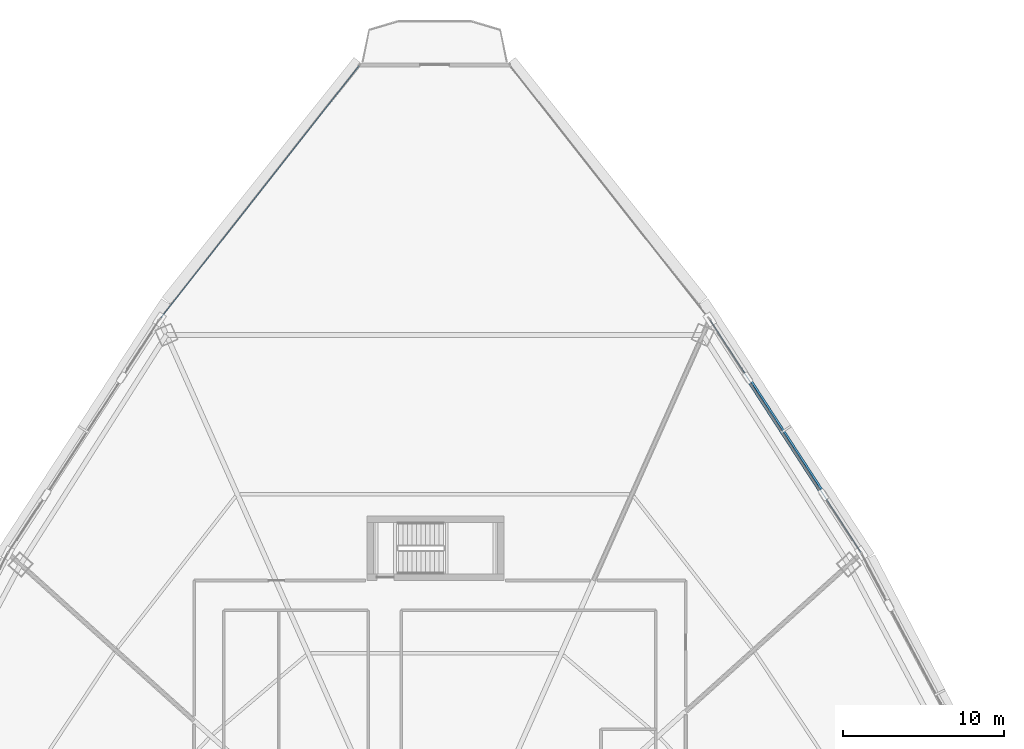
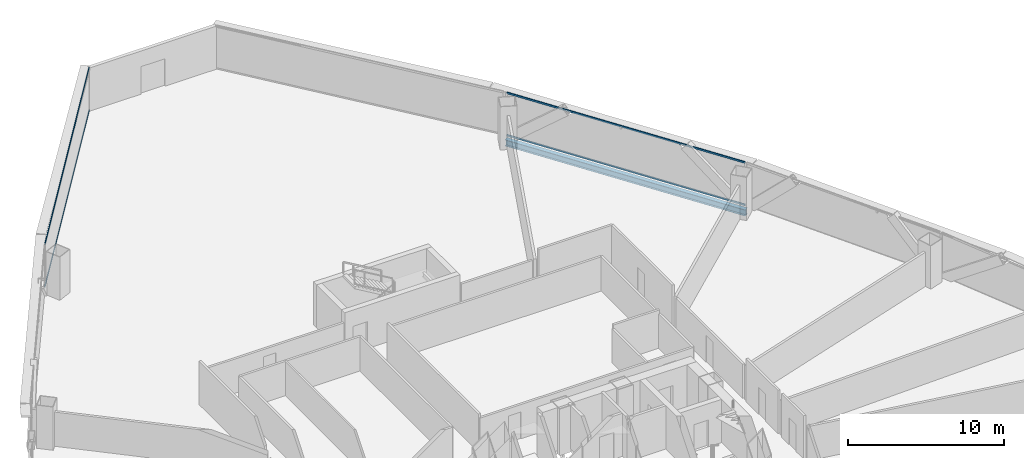
# One storey, part 26 of 41: 4 members, 1 beam, 2 elements without a shape of their own.
"""IFC4 building model written with IfcOpenShell, lengths in metres."""

from ifc_helpers import new_model, si_unit, direction, frame, origin, origin_2d, place, context, subcontext, project, spatial, hollow_rectangle, i_section, extrude, source, transform, mapped, material, layer, layer_set, material_profile, profile_set, type_object, element, aggregate, save


model = new_model("IFC4")

# Units and contexts
model_context = context("Model", 3, precision=1e-05, world=origin(), true_north=direction((0.0, 1.0)))
body_context = subcontext(model_context, "Body", "Model", "MODEL_VIEW")
ifc_project = project(units=[si_unit("LENGTHUNIT", "METRE"), si_unit("AREAUNIT", "SQUARE_METRE"), si_unit("VOLUMEUNIT", "CUBIC_METRE"), si_unit("PLANEANGLEUNIT", "RADIAN"), si_unit("MASSUNIT", "GRAM", prefix="KILO"), si_unit("THERMODYNAMICTEMPERATUREUNIT", "KELVIN"), si_unit("POWERUNIT", "WATT")], contexts=[model_context])

# Site, building, storey
site_placement = place(None, origin())
site = spatial("IfcSite", under=ifc_project, at=site_placement, CompositionType="ELEMENT")
building_placement = place(site_placement, origin())
building = spatial("IfcBuilding", under=site, at=building_placement, Name="Yunzhuo Pagoda Commons", CompositionType="ELEMENT")
storey_placement = place(building_placement, frame((0.0, 0.0, 63.070068359375)))
storey = spatial("IfcBuildingStorey", under=building, at=storey_placement, Name="L16", CompositionType="ELEMENT", Elevation=63.070068359375)

# Beam
ifc_material_1 = material(Name="Structural steel Q355B", Category="steel")
ifc_material_profile_1 = material_profile(ifc_material_1, i_section(OverallWidth=0.300048828125, OverallDepth=0.488037109375, WebThickness=0.010986328125, FlangeThickness=0.01806640625, at=origin_2d()), Name="Structural steel Q355B")
ifc_profile_set_1 = profile_set([ifc_material_profile_1], Name="Structural steel Q355B")
beam_type = type_object("IfcBeamType", Name="B-SP1 Beam HM 488x300x11x18", PredefinedType="BEAM", material=ifc_profile_set_1)
shared_shape_1 = source(origin(), body_context, "Body", "SweptSolid", [
    extrude(i_section(OverallWidth=0.300048828125, OverallDepth=0.488037109375, WebThickness=0.010986328125, FlangeThickness=0.01806640625, at=origin_2d()), origin(), (0.0, 0.0, 1.0), 17.251220703125),
])
beam_placement = place(storey_placement, frame((74.428955078125, 57.496826171875, -0.504150390625), z_axis=(-0.544376852456, 0.838840773037, 0.0), x_axis=(-0.838840773037, -0.544376852456, 0.0)))
element("IfcBeam", 1, at=beam_placement, inside=storey, type_object=beam_type, Name="L16 facade edge spandrel beam F2.3", PredefinedType="BEAM", context=body_context, shape_type="MappedRepresentation", body=[
    mapped(shared_shape_1, transform((0.0, 0.0, 0.0), scale=1.0)),
])

# Curtain wall, members
ifc_material_2 = material(Name="Anodized aluminium 6063-T6", Category="aluminium")
ifc_layer = layer(ifc_material_2, 0.1650390625)
ifc_layer_set = layer_set([ifc_layer], Name="Anodized aluminium 6063-T6")
curtain_wall_type = type_object("IfcCurtainWallType", Name="CW-LOW Low-Zone Ribbon Curtain Wall", PredefinedType="NOTDEFINED", material=ifc_layer_set)
curtain_wall_1_placement = place(storey_placement, origin())
curtain_wall_1 = element("IfcCurtainWall", 2, at=curtain_wall_1_placement, inside=storey, type_object=curtain_wall_type, Name="L16 curtain wall CW-L16-F2B4", PredefinedType="NOTDEFINED")
ifc_material_profile_2 = material_profile(ifc_material_2, hollow_rectangle(XDim=0.06005859375, YDim=0.139892578125, WallThickness=0.00341796875, at=origin_2d()), Name="Anodized aluminium 6063-T6")
ifc_profile_set_2 = profile_set([ifc_material_profile_2], Name="Anodized aluminium 6063-T6")
member_type = type_object("IfcMemberType", Name="CW-LOW-T Transom RHS 140x60x3.5", PredefinedType="USERDEFINED", material=ifc_profile_set_2)
shared_shape_2 = source(origin(), body_context, "Body", "SweptSolid", [
    extrude(hollow_rectangle(XDim=0.06005859375, YDim=0.139892578125, WallThickness=0.00341796875, at=origin_2d()), origin(), (0.0, 0.0, 1.0), 17.120849609375),
])
member_1_placement = place(storey_placement, frame((74.3935546875, 57.551513671875, 0.030029296875), z_axis=(-0.544384232902, 0.838835983353, 0.0), x_axis=(-0.838835983353, -0.544384232902, 0.0)))
member_1 = element("IfcMember", 3, at=member_1_placement, type_object=member_type, Name="CW transom 1.1", ObjectType="TRANSOM", PredefinedType="USERDEFINED", context=body_context, shape_type="MappedRepresentation", body=[
    mapped(shared_shape_2, transform((0.0, 0.0, 0.0), scale=1.0)),
])
member_2_placement = place(storey_placement, frame((74.3935546875, 57.551513671875, 3.33984375), z_axis=(-0.544384232902, 0.838835983353, 0.0), x_axis=(-0.838835983353, -0.544384232902, 0.0)))
member_2 = element("IfcMember", 4, at=member_2_placement, type_object=member_type, Name="CW transom 1.2", ObjectType="TRANSOM", PredefinedType="USERDEFINED", context=body_context, shape_type="MappedRepresentation", body=[
    mapped(shared_shape_2, transform((0.0, 0.0, 0.0), scale=1.0)),
])
aggregate(curtain_wall_1, [member_1, member_2])

curtain_wall_2_placement = place(storey_placement, origin())
curtain_wall_2 = element("IfcCurtainWall", 5, at=curtain_wall_2_placement, inside=storey, type_object=curtain_wall_type, Name="L16 curtain wall CW-L16-F3B1", PredefinedType="NOTDEFINED")
shared_shape_3 = source(origin(), body_context, "Body", "SweptSolid", [
    extrude(hollow_rectangle(XDim=0.06005859375, YDim=0.139892578125, WallThickness=0.00341796875, at=origin_2d()), origin(), (0.0, 0.0, 1.0), 19.8544921875),
])
member_3_placement = place(storey_placement, frame((43.322265625, 87.68408203125, 0.030029296875), z_axis=(-0.61818479687, -0.786032796338, 0.0), x_axis=(0.786032796338, -0.61818479687, 0.0)))
member_3 = element("IfcMember", 6, at=member_3_placement, type_object=member_type, Name="CW transom 1.1", ObjectType="TRANSOM", PredefinedType="USERDEFINED", context=body_context, shape_type="MappedRepresentation", body=[
    mapped(shared_shape_3, transform((0.0, 0.0, 0.0), scale=1.0)),
])
member_4_placement = place(storey_placement, frame((43.322265625, 87.68408203125, 3.33984375), z_axis=(-0.61818479687, -0.786032796338, 0.0), x_axis=(0.786032796338, -0.61818479687, 0.0)))
member_4 = element("IfcMember", 7, at=member_4_placement, type_object=member_type, Name="CW transom 1.2", ObjectType="TRANSOM", PredefinedType="USERDEFINED", context=body_context, shape_type="MappedRepresentation", body=[
    mapped(shared_shape_3, transform((0.0, 0.0, 0.0), scale=1.0)),
])
aggregate(curtain_wall_2, [member_3, member_4])

save(model, "model.ifc")
